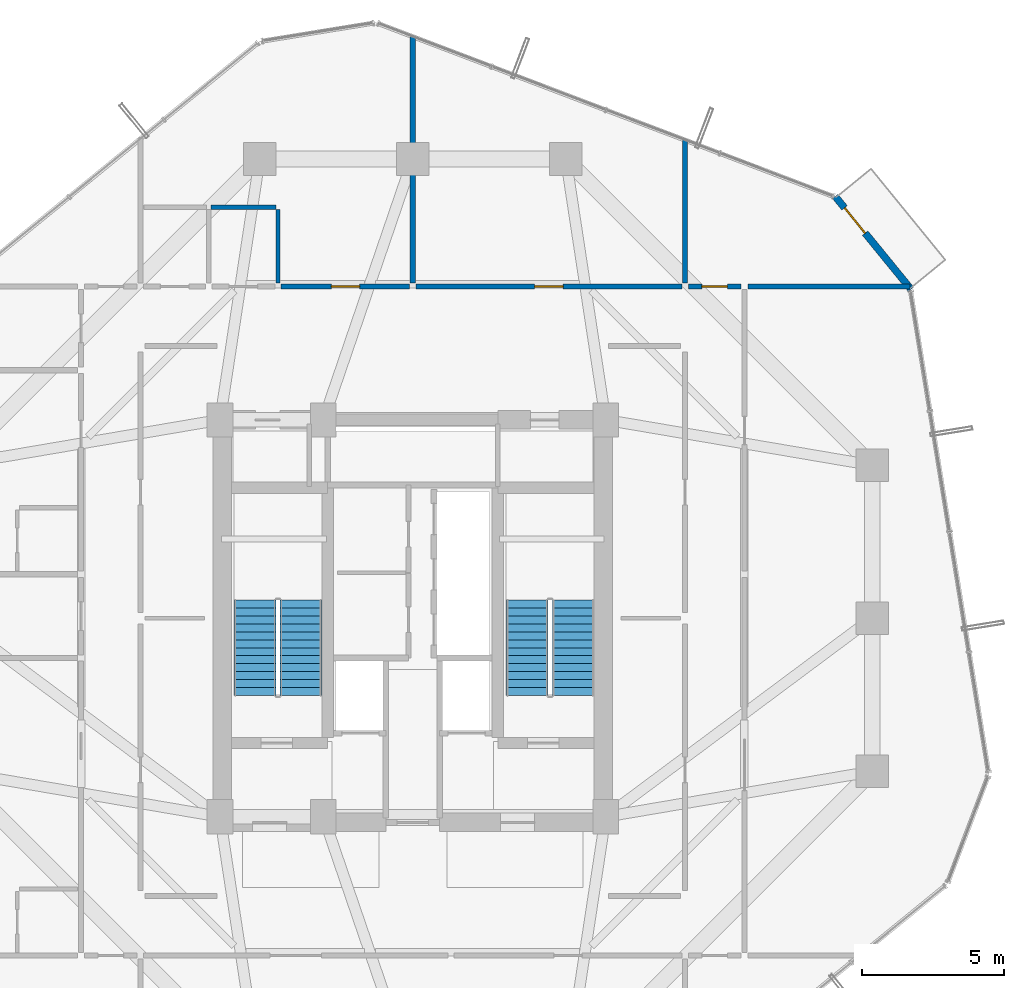
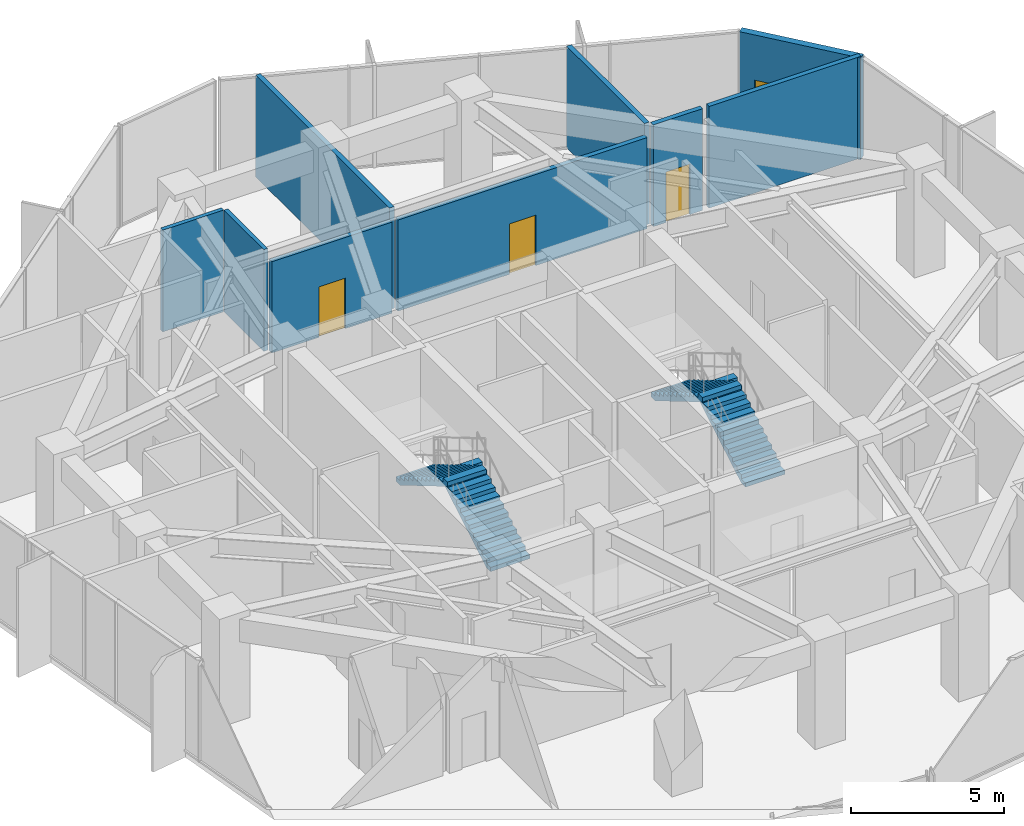
# One storey, part 24 of 26: 9 walls, 4 doors, 4 stair flights, 4 openings, 2 elements without a shape of their own.
"""IFC4 building model written with IfcOpenShell, lengths in metres."""

from ifc_helpers import new_model, si_unit, direction, frame, frame_2d, origin, place, context, subcontext, project, spatial, polyline, rectangle, outline, extrude, source, transform, mapped, material, layer, layer_set, type_object, element, fill, aggregate, save


model = new_model("IFC4")

# Units and contexts
model_context = context("Model", 3, precision=1e-05, world=origin(), true_north=direction((0.0, 1.0)))
body_context = subcontext(model_context, "Body", "Model", "MODEL_VIEW")
ifc_project = project(units=[si_unit("LENGTHUNIT", "METRE"), si_unit("AREAUNIT", "SQUARE_METRE"), si_unit("VOLUMEUNIT", "CUBIC_METRE"), si_unit("PLANEANGLEUNIT", "RADIAN"), si_unit("MASSUNIT", "GRAM", prefix="KILO")], contexts=[model_context])

# Site, building, storey
site_placement = place(None, origin())
site = spatial("IfcSite", under=ifc_project, at=site_placement, CompositionType="ELEMENT")
building_placement = place(site_placement, origin())
building = spatial("IfcBuilding", under=site, at=building_placement, Name="Veraguas Prism Commons", CompositionType="ELEMENT")
storey_placement = place(building_placement, frame((0.0, 0.0, 158.75)))
storey = spatial("IfcBuildingStorey", under=building, at=storey_placement, Name="L45", CompositionType="ELEMENT", Elevation=158.75)

# Wall
ifc_material_1 = material(Name="Autoclaved aerated masonry block 10 MPa", Category="masonry")
ifc_layer_1 = layer(ifc_material_1, 0.179931640625, Name="Corridor and Inter-Tenancy Partition 180", Category="masonry")
ifc_layer_set_1 = layer_set([ifc_layer_1], Name="Autoclaved aerated masonry block 10 MPa")
wall_type_1 = type_object("IfcWallType", Name="Corridor and Inter-Tenancy Partition 180", PredefinedType="PARTITIONING", material=ifc_layer_set_1)
wall_1_placement = place(storey_placement, frame((33.60009765625, 35.820068359375, 0.0), z_axis=(0.0, 0.0, 1.0), x_axis=(0.0, 1.0, 0.0)))
element("IfcWall", 1, at=wall_1_placement, inside=storey, type_object=wall_type_1, Name="WL-L45-PT006", PredefinedType="PARTITIONING", context=body_context, shape_type="SweptSolid", body=[
    extrude(rectangle(XDim=5.085205078125, YDim=0.179931640625, at=frame_2d((2.54248046875, 0.0))), origin(), (0.0, 0.0, 1.0), 4.050048828125),
])

# Wall, opening, door
wall_2_placement = place(storey_placement, frame((19.360107421875, 35.699951171875, 0.0), z_axis=(0.0, 0.0, 1.0), x_axis=(1.0, 0.0, 0.0)))
wall_2 = element("IfcWall", 2, at=wall_2_placement, inside=storey, type_object=wall_type_1, Name="WL-L45-PT009", PredefinedType="PARTITIONING", context=body_context, shape_type="SweptSolid", body=[
    extrude(rectangle(XDim=4.52978515625, YDim=0.179931640625, at=frame_2d((2.264892578125, 0.0))), origin(), (0.0, 0.0, 1.0), 3.6298828125),
])
opening_1_placement = place(wall_2_placement, frame((1.764892578125, 0.0, 0.0)))
opening_1 = element("IfcOpeningElement", 3, at=opening_1_placement, cuts=wall_2, Name="Opening DR-13", PredefinedType="OPENING", context=body_context, shape_type="SweptSolid", body=[
    extrude(rectangle(XDim=1.0, YDim=2.010009765625, at=frame_2d((0.5, 1.0048828125))), frame((0.0, 0.099853515625, 0.0), z_axis=(0.0, -1.0, 0.0), x_axis=(1.0, 0.0, 0.0)), (0.0, 0.0, 1.0), 0.199951171875),
])
ifc_material_2 = material(Name="Steel fire-rated door assembly", Category="steel")
door_type_1 = type_object("IfcDoorType", Name="Core Accessible WC and Clinic Fire Door 1000x2010", OperationType="NOTDEFINED", PredefinedType="DOOR", material=ifc_material_2)
shared_shape_1 = source(origin(), body_context, "Body", "SweptSolid", [
    extrude(rectangle(XDim=1.0, YDim=2.010009765625, at=frame_2d((0.5, 1.0048828125))), frame((0.0, 0.02490234375, 0.0), z_axis=(0.0, -1.0, 0.0), x_axis=(1.0, 0.0, 0.0)), (0.0, 0.0, 1.0), 0.050048828125),
])
door_1_placement = place(opening_1_placement, origin())
door_1 = element("IfcDoor", 4, at=door_1_placement, inside=storey, type_object=door_type_1, Name="Quiet Study L45 Door", OperationType="SINGLE_SWING_RIGHT", OverallHeight=2.010009765625, OverallWidth=1.0, PredefinedType="DOOR", context=body_context, shape_type="MappedRepresentation", body=[
    mapped(shared_shape_1, transform((0.0, 0.0, 0.0), scale=1.0)),
])
fill(opening_1, door_1)

wall_3_placement = place(storey_placement, frame((24.110107421875, 35.699951171875, 0.0), z_axis=(0.0, 0.0, 1.0), x_axis=(1.0, 0.0, 0.0)))
wall_3 = element("IfcWall", 5, at=wall_3_placement, inside=storey, type_object=wall_type_1, Name="WL-L45-PT010", PredefinedType="PARTITIONING", context=body_context, shape_type="SweptSolid", body=[
    extrude(rectangle(XDim=9.3798828125, YDim=0.179931640625, at=frame_2d((4.68994140625, 0.0))), origin(), (0.0, 0.0, 1.0), 3.6298828125),
])
opening_2_placement = place(wall_3_placement, frame((4.18994140625, 0.0, 0.0)))
opening_2 = element("IfcOpeningElement", 6, at=opening_2_placement, cuts=wall_3, Name="Opening DR-13", PredefinedType="OPENING", context=body_context, shape_type="SweptSolid", body=[
    extrude(rectangle(XDim=1.0, YDim=2.010009765625, at=frame_2d((0.5, 1.0048828125))), frame((0.0, 0.099853515625, 0.0), z_axis=(0.0, -1.0, 0.0), x_axis=(1.0, 0.0, 0.0)), (0.0, 0.0, 1.0), 0.199951171875),
])
door_2_placement = place(opening_2_placement, origin())
door_2 = element("IfcDoor", 7, at=door_2_placement, inside=storey, type_object=door_type_1, Name="Reading Lounge L45 Door", OperationType="SINGLE_SWING_LEFT", OverallHeight=2.010009765625, OverallWidth=1.0, PredefinedType="DOOR", context=body_context, shape_type="MappedRepresentation", body=[
    mapped(shared_shape_1, transform((0.0, 0.0, 0.0), scale=1.0)),
])
fill(opening_2, door_2)

# Walls
wall_4_placement = place(storey_placement, frame((24.0, 35.820068359375, 0.0), z_axis=(0.0, 0.0, 1.0), x_axis=(0.0, 1.0, 0.0)))
element("IfcWall", 8, at=wall_4_placement, inside=storey, type_object=wall_type_1, Name="WL-L45-PT015", PredefinedType="PARTITIONING", context=body_context, shape_type="SweptSolid", body=[
    extrude(rectangle(XDim=8.73193359375, YDim=0.179931640625, at=frame_2d((4.365966796875, 0.0))), origin(), (0.0, 0.0, 1.0), 4.050048828125),
])
wall_5_placement = place(storey_placement, frame((35.820068359375, 35.699951171875, 0.0), z_axis=(0.0, 0.0, 1.0), x_axis=(1.0, 0.0, 0.0)))
element("IfcWall", 9, at=wall_5_placement, inside=storey, type_object=wall_type_1, Name="WL-L45-PT030", PredefinedType="PARTITIONING", context=body_context, shape_type="SweptSolid", body=[
    extrude(rectangle(XDim=5.7119140625, YDim=0.179931640625, at=frame_2d((2.85595703125, 0.0))), origin(), (0.0, 0.0, 1.0), 4.050048828125),
])

# Wall, opening, door
wall_6_placement = place(storey_placement, frame((33.719970703125, 35.699951171875, 0.0), z_axis=(0.0, 0.0, 1.0), x_axis=(1.0, 0.0, 0.0)))
wall_6 = element("IfcWall", 10, at=wall_6_placement, inside=storey, type_object=wall_type_1, Name="WL-L45-PT036", PredefinedType="PARTITIONING", context=body_context, shape_type="SweptSolid", body=[
    extrude(rectangle(XDim=1.860107421875, YDim=0.179931640625, at=frame_2d((0.93017578125, 0.0))), origin(), (0.0, 0.0, 1.0), 4.050048828125),
])
opening_3_placement = place(wall_6_placement, frame((0.47998046875, 0.0, 0.0)))
opening_3 = element("IfcOpeningElement", 11, at=opening_3_placement, cuts=wall_6, Name="Opening DR-14", PredefinedType="OPENING", context=body_context, shape_type="SweptSolid", body=[
    extrude(rectangle(XDim=0.89990234375, YDim=2.010009765625, at=frame_2d((0.449951171875, 1.0048828125))), frame((0.0, 0.099853515625, 0.0), z_axis=(0.0, -1.0, 0.0), x_axis=(1.0, 0.0, 0.0)), (0.0, 0.0, 1.0), 0.199951171875),
])
door_type_2 = type_object("IfcDoorType", Name="Core Service Room Fire Door 900x2010", OperationType="NOTDEFINED", PredefinedType="DOOR", material=ifc_material_2)
shared_shape_2 = source(origin(), body_context, "Body", "SweptSolid", [
    extrude(rectangle(XDim=0.89990234375, YDim=2.010009765625, at=frame_2d((0.449951171875, 1.0048828125))), frame((0.0, 0.02490234375, 0.0), z_axis=(0.0, -1.0, 0.0), x_axis=(1.0, 0.0, 0.0)), (0.0, 0.0, 1.0), 0.050048828125),
])
door_3_placement = place(opening_3_placement, origin())
door_3 = element("IfcDoor", 12, at=door_3_placement, inside=storey, type_object=door_type_2, Name="Residents Cycle and Pram Store NE Door", OperationType="SINGLE_SWING_LEFT", OverallHeight=2.010009765625, OverallWidth=0.89990234375, PredefinedType="DOOR", context=body_context, shape_type="MappedRepresentation", body=[
    mapped(shared_shape_2, transform((0.0, 0.0, 0.0), scale=1.0)),
])
fill(opening_3, door_3)

ifc_material_3 = material(Name="Precast concrete C40/50", Category="concrete")
ifc_layer_2 = layer(ifc_material_3, 0.25, Name="External Loggia and Portal Wall 250", Category="concrete")
ifc_layer_set_2 = layer_set([ifc_layer_2], Name="Precast concrete C40/50")
wall_type_2 = type_object("IfcWallType", Name="External Loggia and Portal Wall 250", PredefinedType="SOLIDWALL", material=ifc_layer_set_2)
wall_7_placement = place(storey_placement, frame((41.57373046875, 35.6015625, 0.0), z_axis=(0.0, 0.0, 1.0), x_axis=(-0.632059289804, 0.774920030824, 0.0)))
wall_7 = element("IfcWall", 13, at=wall_7_placement, inside=storey, type_object=wall_type_2, Name="Corner Loggia Wall L45-C1", PredefinedType="SOLIDWALL", context=body_context, shape_type="SweptSolid", body=[
    extrude(rectangle(XDim=4.233154296875, YDim=0.25, at=frame_2d((2.11669921875, 0.0))), origin(), (0.0, 0.0, 1.0), 4.050048828125),
])
opening_4_placement = place(wall_7_placement, frame((2.56005859375, 0.0, 0.0)))
opening_4 = element("IfcOpeningElement", 14, at=opening_4_placement, cuts=wall_7, Name="Opening DR-10", PredefinedType="OPENING", context=body_context, shape_type="SweptSolid", body=[
    extrude(rectangle(XDim=1.14990234375, YDim=2.25, at=frame_2d((0.574951171875, 1.125))), frame((0.0, 0.135009765625, 0.0), z_axis=(0.0, -1.0, 0.0), x_axis=(1.0, 0.0, 0.0)), (0.0, 0.0, 1.0), 0.27001953125),
])
ifc_material_4 = material(Name="Anodised aluminium EN AW-6063 T6", Category="aluminium")
door_type_3 = type_object("IfcDoorType", Name="Glazed Loggia and Terrace Door 1150x2250", OperationType="NOTDEFINED", PredefinedType="DOOR", material=ifc_material_4)
shared_shape_3 = source(origin(), body_context, "Body", "SweptSolid", [
    extrude(rectangle(XDim=1.14990234375, YDim=2.25, at=frame_2d((0.574951171875, 1.125))), frame((0.0, 0.02490234375, 0.0), z_axis=(0.0, -1.0, 0.0), x_axis=(1.0, 0.0, 0.0)), (0.0, 0.0, 1.0), 0.050048828125),
])
door_4_placement = place(opening_4_placement, frame((1.14990234375, 0.0, 0.0), z_axis=(0.0, 0.0, 1.0), x_axis=(-1.0, 0.0, 0.0)))
door_4 = element("IfcDoor", 15, at=door_4_placement, inside=storey, type_object=door_type_3, Name="Recessed Loggia Door L45-C1", OperationType="SINGLE_SWING_LEFT", OverallHeight=2.25, OverallWidth=1.14990234375, PredefinedType="DOOR", context=body_context, shape_type="MappedRepresentation", body=[
    mapped(shared_shape_3, transform((0.0, 0.0, 0.0), scale=1.0)),
])
fill(opening_4, door_4)

# Walls
ifc_material_5 = material(Name="Lightweight acoustic gypsum board")
ifc_layer_3 = layer(ifc_material_5, 0.14990234375, Name="Wet Room and Clinic Acoustic Partition 150")
ifc_layer_set_3 = layer_set([ifc_layer_3], Name="Lightweight acoustic gypsum board")
wall_type_3 = type_object("IfcWallType", Name="Wet Room and Clinic Acoustic Partition 150", PredefinedType="PARTITIONING", material=ifc_layer_set_3)
wall_8_placement = place(storey_placement, frame((19.25, 35.820068359375, 0.0), z_axis=(0.0, 0.0, 1.0), x_axis=(0.0, 1.0, 0.0)))
element("IfcWall", 16, at=wall_8_placement, inside=storey, type_object=wall_type_3, Name="WL-L45-PT012", PredefinedType="PARTITIONING", context=body_context, shape_type="SweptSolid", body=[
    extrude(rectangle(XDim=2.599853515625, YDim=0.14990234375, at=frame_2d((1.2998046875, 0.0))), origin(), (0.0, 0.0, 1.0), 4.050048828125),
])
wall_9_placement = place(storey_placement, frame((16.8798828125, 38.5, 0.0), z_axis=(0.0, 0.0, 1.0), x_axis=(1.0, 0.0, 0.0)))
element("IfcWall", 17, at=wall_9_placement, inside=storey, type_object=wall_type_3, Name="WL-L45-PT014", PredefinedType="PARTITIONING", context=body_context, shape_type="SweptSolid", body=[
    extrude(rectangle(XDim=2.2900390625, YDim=0.14990234375, at=frame_2d((1.14501953125, 0.0))), origin(), (0.0, 0.0, 1.0), 4.050048828125),
])

# Stair, stair flights
ifc_material_6 = material(Name="Precast concrete C45/55", Category="concrete")
stair_type = type_object("IfcStairType", Name="Dogleg Core Stair 1480W 26R 06", PredefinedType="HALF_TURN_STAIR", material=ifc_material_6)
stair_1_placement = place(storey_placement, origin())
stair_1 = element("IfcStair", 18, at=stair_1_placement, inside=storey, type_object=stair_type, Name="Protected Exit Stair ST-01 L45", PredefinedType="HALF_TURN_STAIR")
stair_flight_type = type_object("IfcStairFlightType", Name="Precast Stair Flight 1480W 13R 06", PredefinedType="STRAIGHT", material=ifc_material_6)
stair_flight_1_placement = place(storey_placement, frame((20.06005859375, 21.280029296875, 0.0), z_axis=(0.0, 0.0, 1.0), x_axis=(0.0, 1.0, 0.0)))
stair_flight_1 = element("IfcStairFlight", 19, at=stair_flight_1_placement, type_object=stair_flight_type, Name="ST-06 Flight 1", NumberOfRisers=13, NumberOfTreads=12, PredefinedType="STRAIGHT", RiserHeight=0.165384615, TreadLength=0.28, context=body_context, shape_type="SweptSolid", body=[
    extrude(outline(polyline([(0.0, 0.0), (0.0, 0.165283203125), (0.280029296875, 0.165283203125), (0.280029296875, 0.330810546875), (0.56005859375, 0.330810546875), (0.56005859375, 0.49609375), (0.840087890625, 0.49609375), (0.840087890625, 0.66162109375), (1.1201171875, 0.66162109375), (1.1201171875, 0.826904296875), (1.39990234375, 0.826904296875), (1.39990234375, 0.9921875), (1.679931640625, 0.9921875), (1.679931640625, 1.15771484375), (1.9599609375, 1.15771484375), (1.9599609375, 1.322998046875), (2.239990234375, 1.322998046875), (2.239990234375, 1.488525390625), (2.52001953125, 1.488525390625), (2.52001953125, 1.65380859375), (2.800048828125, 1.65380859375), (2.800048828125, 1.8193359375), (3.080078125, 1.8193359375), (3.080078125, 1.984619140625), (3.360107421875, 1.984619140625), (3.360107421875, 2.14990234375), (3.360107421875, 1.810546875), (0.294677734375, 0.0), (0.0, 0.0)])), frame((0.0, 0.739990234375, 0.0), z_axis=(0.0, -1.0, 0.0), x_axis=(1.0, 0.0, 0.0)), (0.0, 0.0, 1.0), 1.47998046875),
])
stair_flight_2_placement = place(storey_placement, frame((18.429931640625, 24.639892578125, 2.14990234375), z_axis=(0.0, 0.0, 1.0), x_axis=(0.0, -1.0, 0.0)))
stair_flight_2 = element("IfcStairFlight", 20, at=stair_flight_2_placement, type_object=stair_flight_type, Name="ST-06 Flight 2", NumberOfRisers=13, NumberOfTreads=12, PredefinedType="STRAIGHT", RiserHeight=0.165384615, TreadLength=0.28, context=body_context, shape_type="SweptSolid", body=[
    extrude(outline(polyline([(0.0, 0.0), (0.0, 0.165283203125), (0.280029296875, 0.165283203125), (0.280029296875, 0.330810546875), (0.56005859375, 0.330810546875), (0.56005859375, 0.49609375), (0.840087890625, 0.49609375), (0.840087890625, 0.66162109375), (1.1201171875, 0.66162109375), (1.1201171875, 0.826904296875), (1.39990234375, 0.826904296875), (1.39990234375, 0.9921875), (1.679931640625, 0.9921875), (1.679931640625, 1.15771484375), (1.9599609375, 1.15771484375), (1.9599609375, 1.322998046875), (2.239990234375, 1.322998046875), (2.239990234375, 1.488525390625), (2.52001953125, 1.488525390625), (2.52001953125, 1.65380859375), (2.800048828125, 1.65380859375), (2.800048828125, 1.8193359375), (3.080078125, 1.8193359375), (3.080078125, 1.984619140625), (3.360107421875, 1.984619140625), (3.360107421875, 2.14990234375), (3.360107421875, 1.810546875), (0.294677734375, 0.0), (0.0, 0.0)])), frame((0.0, 0.739990234375, 0.0), z_axis=(0.0, -1.0, 0.0), x_axis=(1.0, 0.0, 0.0)), (0.0, 0.0, 1.0), 1.47998046875),
])
aggregate(stair_1, [stair_flight_1, stair_flight_2])

stair_2_placement = place(storey_placement, origin())
stair_2 = element("IfcStair", 21, at=stair_2_placement, inside=storey, type_object=stair_type, Name="Protected Exit Stair ST-02 L45", PredefinedType="HALF_TURN_STAIR")
stair_flight_3_placement = place(storey_placement, frame((29.659912109375, 21.280029296875, 0.0), z_axis=(0.0, 0.0, 1.0), x_axis=(0.0, 1.0, 0.0)))
stair_flight_3 = element("IfcStairFlight", 22, at=stair_flight_3_placement, type_object=stair_flight_type, Name="ST-06 Flight 1", NumberOfRisers=13, NumberOfTreads=12, PredefinedType="STRAIGHT", RiserHeight=0.165384615, TreadLength=0.28, context=body_context, shape_type="SweptSolid", body=[
    extrude(outline(polyline([(0.0, 0.0), (0.0, 0.165283203125), (0.280029296875, 0.165283203125), (0.280029296875, 0.330810546875), (0.56005859375, 0.330810546875), (0.56005859375, 0.49609375), (0.840087890625, 0.49609375), (0.840087890625, 0.66162109375), (1.1201171875, 0.66162109375), (1.1201171875, 0.826904296875), (1.39990234375, 0.826904296875), (1.39990234375, 0.9921875), (1.679931640625, 0.9921875), (1.679931640625, 1.15771484375), (1.9599609375, 1.15771484375), (1.9599609375, 1.322998046875), (2.239990234375, 1.322998046875), (2.239990234375, 1.488525390625), (2.52001953125, 1.488525390625), (2.52001953125, 1.65380859375), (2.800048828125, 1.65380859375), (2.800048828125, 1.8193359375), (3.080078125, 1.8193359375), (3.080078125, 1.984619140625), (3.360107421875, 1.984619140625), (3.360107421875, 2.14990234375), (3.360107421875, 1.810546875), (0.294677734375, 0.0), (0.0, 0.0)])), frame((0.0, 0.739990234375, 0.0), z_axis=(0.0, -1.0, 0.0), x_axis=(1.0, 0.0, 0.0)), (0.0, 0.0, 1.0), 1.47998046875),
])
stair_flight_4_placement = place(storey_placement, frame((28.030029296875, 24.639892578125, 2.14990234375), z_axis=(0.0, 0.0, 1.0), x_axis=(0.0, -1.0, 0.0)))
stair_flight_4 = element("IfcStairFlight", 23, at=stair_flight_4_placement, type_object=stair_flight_type, Name="ST-06 Flight 2", NumberOfRisers=13, NumberOfTreads=12, PredefinedType="STRAIGHT", RiserHeight=0.165384615, TreadLength=0.28, context=body_context, shape_type="SweptSolid", body=[
    extrude(outline(polyline([(0.0, 0.0), (0.0, 0.165283203125), (0.280029296875, 0.165283203125), (0.280029296875, 0.330810546875), (0.56005859375, 0.330810546875), (0.56005859375, 0.49609375), (0.840087890625, 0.49609375), (0.840087890625, 0.66162109375), (1.1201171875, 0.66162109375), (1.1201171875, 0.826904296875), (1.39990234375, 0.826904296875), (1.39990234375, 0.9921875), (1.679931640625, 0.9921875), (1.679931640625, 1.15771484375), (1.9599609375, 1.15771484375), (1.9599609375, 1.322998046875), (2.239990234375, 1.322998046875), (2.239990234375, 1.488525390625), (2.52001953125, 1.488525390625), (2.52001953125, 1.65380859375), (2.800048828125, 1.65380859375), (2.800048828125, 1.8193359375), (3.080078125, 1.8193359375), (3.080078125, 1.984619140625), (3.360107421875, 1.984619140625), (3.360107421875, 2.14990234375), (3.360107421875, 1.810546875), (0.294677734375, 0.0), (0.0, 0.0)])), frame((0.0, 0.739990234375, 0.0), z_axis=(0.0, -1.0, 0.0), x_axis=(1.0, 0.0, 0.0)), (0.0, 0.0, 1.0), 1.47998046875),
])
aggregate(stair_2, [stair_flight_3, stair_flight_4])

save(model, "model.ifc")
